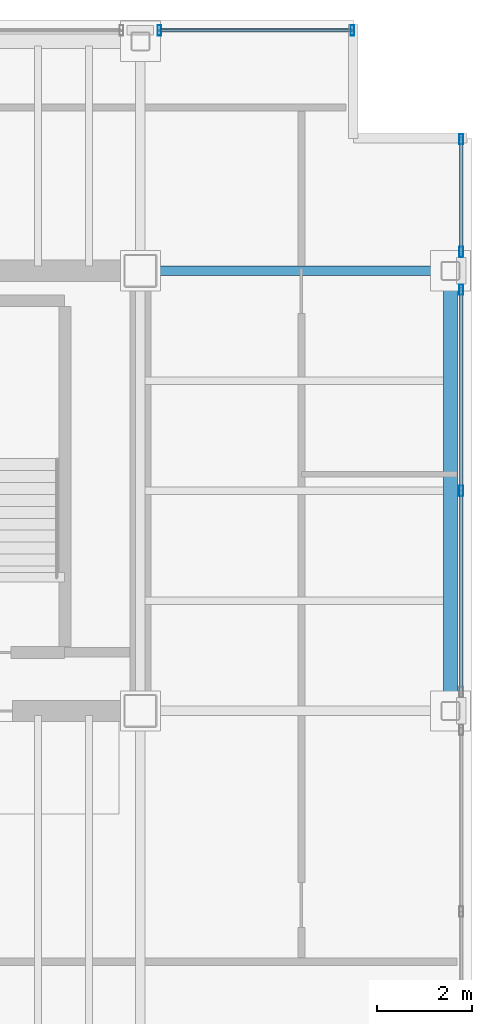
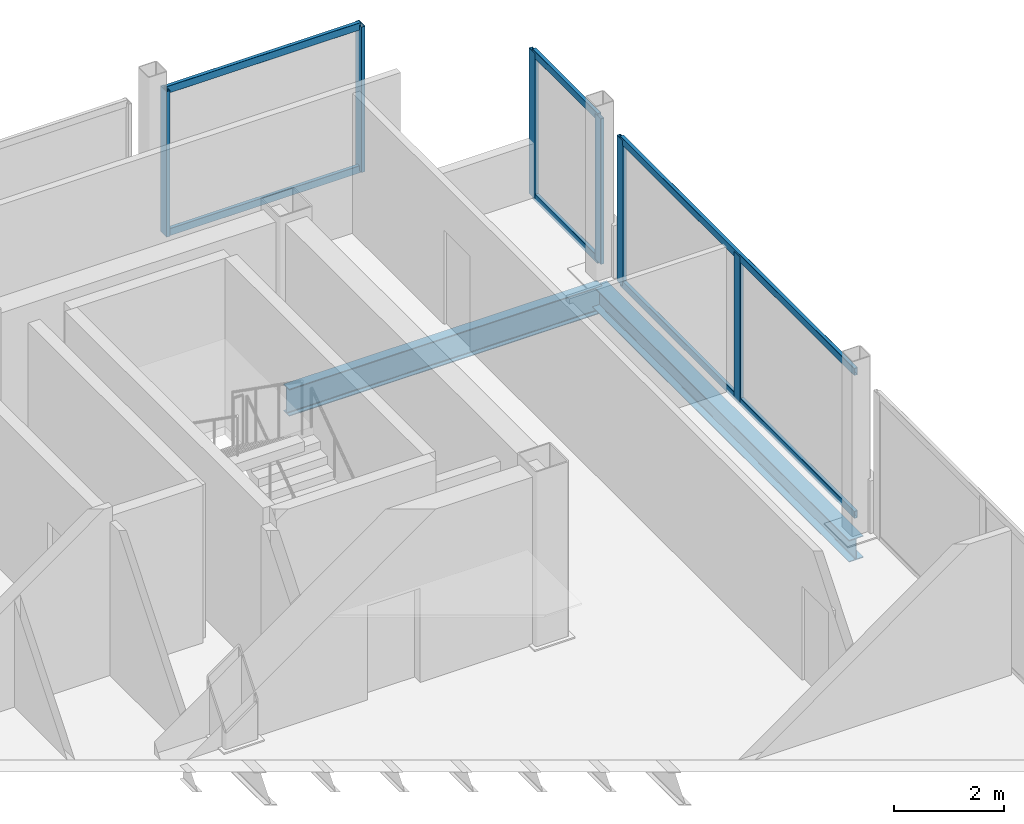
# One storey, part 13 of 17: 12 members, 2 beams, 3 elements without a shape of their own.
"""IFC4 building model written with IfcOpenShell, lengths in metres."""

from ifc_helpers import new_model, si_unit, direction, frame, origin, origin_2d, place, context, subcontext, project, spatial, hollow_rectangle, i_section, extrude, material, material_profile, profile_set, type_object, element, aggregate, save


model = new_model("IFC4")

# Units and contexts
model_context = context("Model", 3, precision=1e-05, world=origin(), true_north=direction((0.0, 1.0)))
body_context = subcontext(model_context, "Body", "Model", "MODEL_VIEW")
ifc_project = project(units=[si_unit("LENGTHUNIT", "METRE"), si_unit("AREAUNIT", "SQUARE_METRE"), si_unit("VOLUMEUNIT", "CUBIC_METRE"), si_unit("PLANEANGLEUNIT", "RADIAN"), si_unit("MASSUNIT", "GRAM", prefix="KILO")], contexts=[model_context])

# Site, building, storey
site_placement = place(None, origin())
site = spatial("IfcSite", under=ifc_project, at=site_placement, CompositionType="ELEMENT")
building_placement = place(site_placement, origin())
building = spatial("IfcBuilding", under=site, at=building_placement, Name="Noeulbin Bourse Tower", CompositionType="ELEMENT")
storey_placement = place(building_placement, frame((0.0, 0.0, 285.199951171875)))
storey = spatial("IfcBuildingStorey", under=building, at=storey_placement, Name="L71", CompositionType="ELEMENT", Elevation=285.199951171875)

# Beams
ifc_material_1 = material(Name="Steel S355", Category="steel")
ifc_material_profile_1 = material_profile(ifc_material_1, i_section(OverallWidth=0.199951171875, OverallDepth=0.60009765625, WebThickness=0.010986328125, FlangeThickness=0.01708984375, FilletRadius=0.02197265625, at=origin_2d()), Name="H-600x200x11x17", Category="LoadBearing")
ifc_profile_set_1 = profile_set([ifc_material_profile_1], Name="Steel S355")
beam_type_1 = type_object("IfcBeamType", Name="BM-GRD-600", PredefinedType="USERDEFINED", material=ifc_profile_set_1)
beam_1_placement = place(storey_placement, frame((44.0, 38.300048828125, -0.47998046875), z_axis=(1.0, 0.0, 0.0), x_axis=(0.0, 1.0, 0.0)))
element("IfcBeam", 1, at=beam_1_placement, inside=storey, type_object=beam_type_1, Name="Tower Primary Girder EW L71-3.4", ObjectType="GIRDER", PredefinedType="USERDEFINED", context=body_context, shape_type="SweptSolid", body=[
    extrude(i_section(OverallWidth=0.199951171875, OverallDepth=0.60009765625, WebThickness=0.010986328125, FlangeThickness=0.01708984375, FilletRadius=0.02197265625, at=origin_2d()), origin(), (0.0, 0.0, 1.0), 6.550048828125),
])
ifc_material_profile_2 = material_profile(ifc_material_1, i_section(OverallWidth=0.300048828125, OverallDepth=0.488037109375, WebThickness=0.010986328125, FlangeThickness=0.01806640625, FilletRadius=0.02197265625, at=origin_2d()), Name="H-488x300x11x18", Category="LoadBearing")
ifc_profile_set_2 = profile_set([ifc_material_profile_2], Name="Steel S355")
beam_type_2 = type_object("IfcBeamType", Name="BM-SPN-488", PredefinedType="SPANDREL", material=ifc_profile_set_2)
beam_2_placement = place(storey_placement, frame((50.550048828125, 29.0, -0.424072265625), z_axis=(0.0, 1.0, 0.0), x_axis=(-1.0, 0.0, 0.0)))
element("IfcBeam", 2, at=beam_2_placement, inside=storey, type_object=beam_type_2, Name="East Spandrel L71-1", PredefinedType="SPANDREL", context=body_context, shape_type="SweptSolid", body=[
    extrude(i_section(OverallWidth=0.300048828125, OverallDepth=0.488037109375, WebThickness=0.010986328125, FlangeThickness=0.01806640625, FilletRadius=0.02197265625, at=origin_2d()), origin(), (0.0, 0.0, 1.0), 9.300048828125),
])

# Curtain wall, members
ifc_material_2 = material(Name="High-Selectivity Low-Iron Glazing", Category="glass")
curtain_wall_type = type_object("IfcCurtainWallType", Name="CW-SYS-4", PredefinedType="NOTDEFINED", material=ifc_material_2)
curtain_wall_1_placement = place(storey_placement, origin())
curtain_wall_1 = element("IfcCurtainWall", 3, at=curtain_wall_1_placement, inside=storey, type_object=curtain_wall_type, Name="Unitised Curtain Wall CW-L71-N-S5", PredefinedType="NOTDEFINED")
ifc_material_3 = material(Name="Anodised Aluminium 6063-T6", Category="aluminium")
ifc_material_profile_3 = material_profile(ifc_material_3, hollow_rectangle(XDim=0.074951171875, YDim=0.219970703125, WallThickness=0.0048828125, InnerFilletRadius=0.00244140625, OuterFilletRadius=0.0048828125, at=origin_2d()), Name="ALU-MULL-75x220x5", Category="LoadBearing")
ifc_profile_set_3 = profile_set([ifc_material_profile_3], Name="Anodised Aluminium 6063-T6")
member_type_1 = type_object("IfcMemberType", Name="CW-SYS-4-MUL", PredefinedType="MULLION", material=ifc_profile_set_3)
member_1_placement = place(storey_placement, frame((44.39990234375, 43.3798828125, -0.02001953125), z_axis=(0.0, 0.0, 1.0), x_axis=(1.0, 0.0, 0.0)))
member_1 = element("IfcMember", 4, at=member_1_placement, type_object=member_type_1, Name="Curtain Wall Mullion CW-L71-N-S5-M00", PredefinedType="MULLION", context=body_context, shape_type="SweptSolid", body=[
    extrude(hollow_rectangle(XDim=0.074951171875, YDim=0.219970703125, WallThickness=0.0048828125, InnerFilletRadius=0.00244140625, OuterFilletRadius=0.0048828125, at=origin_2d()), origin(), (0.0, 0.0, 1.0), 3.219970703125),
])
member_2_placement = place(storey_placement, frame((48.47998046875, 43.3798828125, -0.02001953125), z_axis=(0.0, 0.0, 1.0), x_axis=(1.0, 0.0, 0.0)))
member_2 = element("IfcMember", 5, at=member_2_placement, type_object=member_type_1, Name="Curtain Wall Mullion CW-L71-N-S5-M01", PredefinedType="MULLION", context=body_context, shape_type="SweptSolid", body=[
    extrude(hollow_rectangle(XDim=0.074951171875, YDim=0.219970703125, WallThickness=0.0048828125, InnerFilletRadius=0.00244140625, OuterFilletRadius=0.0048828125, at=origin_2d()), origin(), (0.0, 0.0, 1.0), 3.219970703125),
])

curtain_wall_2_placement = place(storey_placement, origin())
curtain_wall_2 = element("IfcCurtainWall", 6, at=curtain_wall_2_placement, inside=storey, type_object=curtain_wall_type, Name="Unitised Curtain Wall CW-L71-E-S2", PredefinedType="NOTDEFINED")
member_3_placement = place(storey_placement, frame((50.780029296875, 33.64990234375, -0.02001953125), z_axis=(0.0, 0.0, 1.0), x_axis=(1.0, 0.0, 0.0)))
member_3 = element("IfcMember", 7, at=member_3_placement, type_object=member_type_1, Name="Curtain Wall Mullion CW-L71-E-S2-M01", PredefinedType="MULLION", context=body_context, shape_type="SweptSolid", body=[
    extrude(hollow_rectangle(XDim=0.074951171875, YDim=0.219970703125, WallThickness=0.0048828125, InnerFilletRadius=0.00244140625, OuterFilletRadius=0.0048828125, at=origin_2d()), origin(), (0.0, 0.0, 1.0), 3.219970703125),
])
member_4_placement = place(storey_placement, frame((50.780029296875, 37.89990234375, -0.02001953125), z_axis=(0.0, 0.0, 1.0), x_axis=(1.0, 0.0, 0.0)))
member_4 = element("IfcMember", 8, at=member_4_placement, type_object=member_type_1, Name="Curtain Wall Mullion CW-L71-E-S2-M02", PredefinedType="MULLION", context=body_context, shape_type="SweptSolid", body=[
    extrude(hollow_rectangle(XDim=0.074951171875, YDim=0.219970703125, WallThickness=0.0048828125, InnerFilletRadius=0.00244140625, OuterFilletRadius=0.0048828125, at=origin_2d()), origin(), (0.0, 0.0, 1.0), 3.219970703125),
])

curtain_wall_3_placement = place(storey_placement, origin())
curtain_wall_3 = element("IfcCurtainWall", 9, at=curtain_wall_3_placement, inside=storey, type_object=curtain_wall_type, Name="Unitised Curtain Wall CW-L71-E-S3", PredefinedType="NOTDEFINED")
member_5_placement = place(storey_placement, frame((50.780029296875, 38.699951171875, -0.02001953125), z_axis=(0.0, 0.0, 1.0), x_axis=(1.0, 0.0, 0.0)))
member_5 = element("IfcMember", 10, at=member_5_placement, type_object=member_type_1, Name="Curtain Wall Mullion CW-L71-E-S3-M00", PredefinedType="MULLION", context=body_context, shape_type="SweptSolid", body=[
    extrude(hollow_rectangle(XDim=0.074951171875, YDim=0.219970703125, WallThickness=0.0048828125, InnerFilletRadius=0.00244140625, OuterFilletRadius=0.0048828125, at=origin_2d()), origin(), (0.0, 0.0, 1.0), 3.219970703125),
])
member_6_placement = place(storey_placement, frame((50.780029296875, 41.080078125, -0.02001953125), z_axis=(0.0, 0.0, 1.0), x_axis=(1.0, 0.0, 0.0)))
member_6 = element("IfcMember", 11, at=member_6_placement, type_object=member_type_1, Name="Curtain Wall Mullion CW-L71-E-S3-M01", PredefinedType="MULLION", context=body_context, shape_type="SweptSolid", body=[
    extrude(hollow_rectangle(XDim=0.074951171875, YDim=0.219970703125, WallThickness=0.0048828125, InnerFilletRadius=0.00244140625, OuterFilletRadius=0.0048828125, at=origin_2d()), origin(), (0.0, 0.0, 1.0), 3.219970703125),
])

# Member
ifc_material_profile_4 = material_profile(ifc_material_3, hollow_rectangle(XDim=0.074951171875, YDim=0.159912109375, WallThickness=0.0048828125, InnerFilletRadius=0.00244140625, OuterFilletRadius=0.0048828125, at=origin_2d()), Name="ALU-TRAN-75x160x5", Category="LoadBearing")
ifc_profile_set_4 = profile_set([ifc_material_profile_4], Name="Anodised Aluminium 6063-T6")
member_type_2 = type_object("IfcMemberType", Name="CW-SYS-4-TRN", PredefinedType="USERDEFINED", material=ifc_profile_set_4)
member_7_placement = place(storey_placement, frame((44.409912109375, 43.3798828125, 0.010009765625), z_axis=(1.0, 0.0, 0.0), x_axis=(0.0, 1.0, 0.0)))
member_7 = element("IfcMember", 12, at=member_7_placement, type_object=member_type_2, Name="Curtain Wall Transom CW-L71-N-S5-T00", ObjectType="TRANSOM", PredefinedType="USERDEFINED", context=body_context, shape_type="SweptSolid", body=[
    extrude(hollow_rectangle(XDim=0.074951171875, YDim=0.159912109375, WallThickness=0.0048828125, InnerFilletRadius=0.00244140625, OuterFilletRadius=0.0048828125, at=origin_2d()), origin(), (0.0, 0.0, 1.0), 4.06005859375),
])

member_8_placement = place(storey_placement, frame((44.409912109375, 43.3798828125, 3.170166015625), z_axis=(1.0, 0.0, 0.0), x_axis=(0.0, 1.0, 0.0)))
member_8 = element("IfcMember", 13, at=member_8_placement, type_object=member_type_2, Name="Curtain Wall Transom CW-L71-N-S5-T01", ObjectType="TRANSOM", PredefinedType="USERDEFINED", context=body_context, shape_type="SweptSolid", body=[
    extrude(hollow_rectangle(XDim=0.074951171875, YDim=0.159912109375, WallThickness=0.0048828125, InnerFilletRadius=0.00244140625, OuterFilletRadius=0.0048828125, at=origin_2d()), origin(), (0.0, 0.0, 1.0), 4.06005859375),
])

aggregate(curtain_wall_1, [member_1, member_2, member_7, member_8])

member_9_placement = place(storey_placement, frame((50.780029296875, 29.409912109375, 0.010009765625), z_axis=(0.0, 1.0, 0.0), x_axis=(-1.0, 0.0, 0.0)))
member_9 = element("IfcMember", 14, at=member_9_placement, type_object=member_type_2, Name="Curtain Wall Transom CW-L71-E-S2-T00", ObjectType="TRANSOM", PredefinedType="USERDEFINED", context=body_context, shape_type="SweptSolid", body=[
    extrude(hollow_rectangle(XDim=0.074951171875, YDim=0.159912109375, WallThickness=0.0048828125, InnerFilletRadius=0.00244140625, OuterFilletRadius=0.0048828125, at=origin_2d()), origin(), (0.0, 0.0, 1.0), 8.47998046875),
])

member_10_placement = place(storey_placement, frame((50.780029296875, 29.409912109375, 3.170166015625), z_axis=(0.0, 1.0, 0.0), x_axis=(-1.0, 0.0, 0.0)))
member_10 = element("IfcMember", 15, at=member_10_placement, type_object=member_type_2, Name="Curtain Wall Transom CW-L71-E-S2-T01", ObjectType="TRANSOM", PredefinedType="USERDEFINED", context=body_context, shape_type="SweptSolid", body=[
    extrude(hollow_rectangle(XDim=0.074951171875, YDim=0.159912109375, WallThickness=0.0048828125, InnerFilletRadius=0.00244140625, OuterFilletRadius=0.0048828125, at=origin_2d()), origin(), (0.0, 0.0, 1.0), 8.47998046875),
])

aggregate(curtain_wall_2, [member_3, member_4, member_9, member_10])

member_11_placement = place(storey_placement, frame((50.780029296875, 38.7099609375, 0.010009765625), z_axis=(0.0, 1.0, 0.0), x_axis=(-1.0, 0.0, 0.0)))
member_11 = element("IfcMember", 16, at=member_11_placement, type_object=member_type_2, Name="Curtain Wall Transom CW-L71-E-S3-T00", ObjectType="TRANSOM", PredefinedType="USERDEFINED", context=body_context, shape_type="SweptSolid", body=[
    extrude(hollow_rectangle(XDim=0.074951171875, YDim=0.159912109375, WallThickness=0.0048828125, InnerFilletRadius=0.00244140625, OuterFilletRadius=0.0048828125, at=origin_2d()), origin(), (0.0, 0.0, 1.0), 2.360107421875),
])

member_12_placement = place(storey_placement, frame((50.780029296875, 38.7099609375, 3.170166015625), z_axis=(0.0, 1.0, 0.0), x_axis=(-1.0, 0.0, 0.0)))
member_12 = element("IfcMember", 17, at=member_12_placement, type_object=member_type_2, Name="Curtain Wall Transom CW-L71-E-S3-T01", ObjectType="TRANSOM", PredefinedType="USERDEFINED", context=body_context, shape_type="SweptSolid", body=[
    extrude(hollow_rectangle(XDim=0.074951171875, YDim=0.159912109375, WallThickness=0.0048828125, InnerFilletRadius=0.00244140625, OuterFilletRadius=0.0048828125, at=origin_2d()), origin(), (0.0, 0.0, 1.0), 2.360107421875),
])

aggregate(curtain_wall_3, [member_5, member_6, member_11, member_12])

save(model, "model.ifc")
